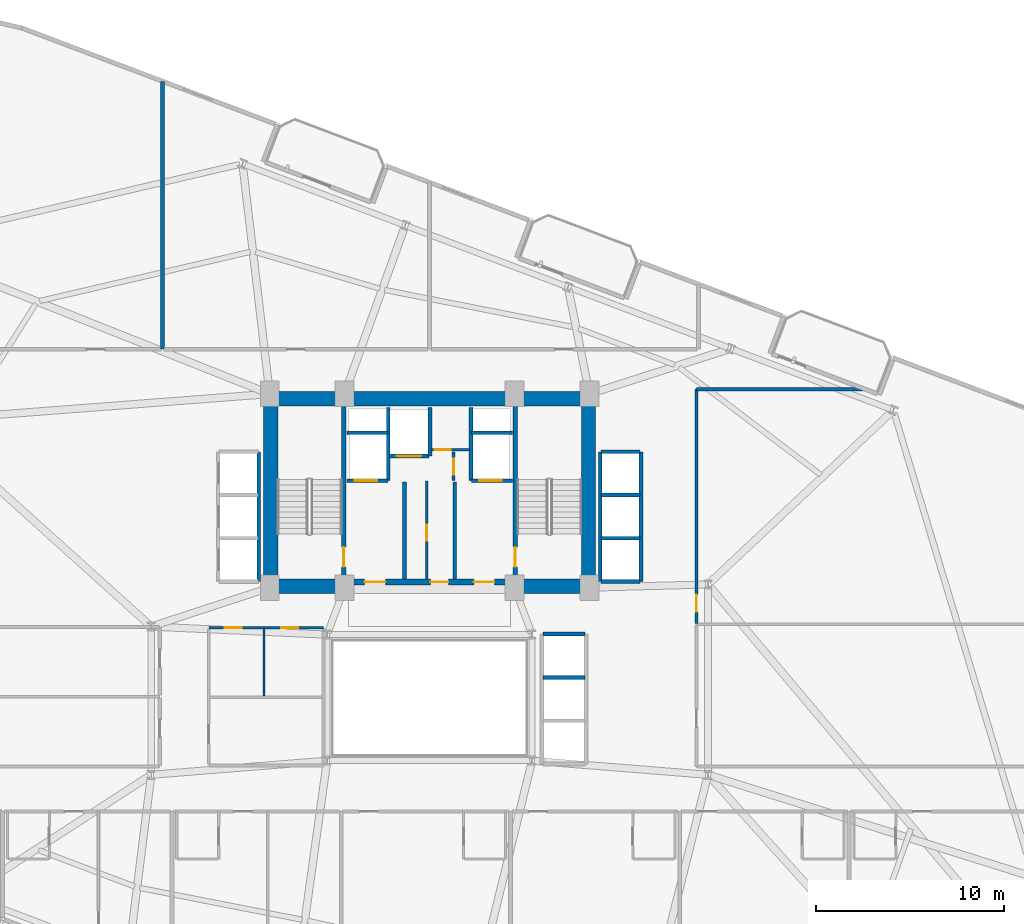
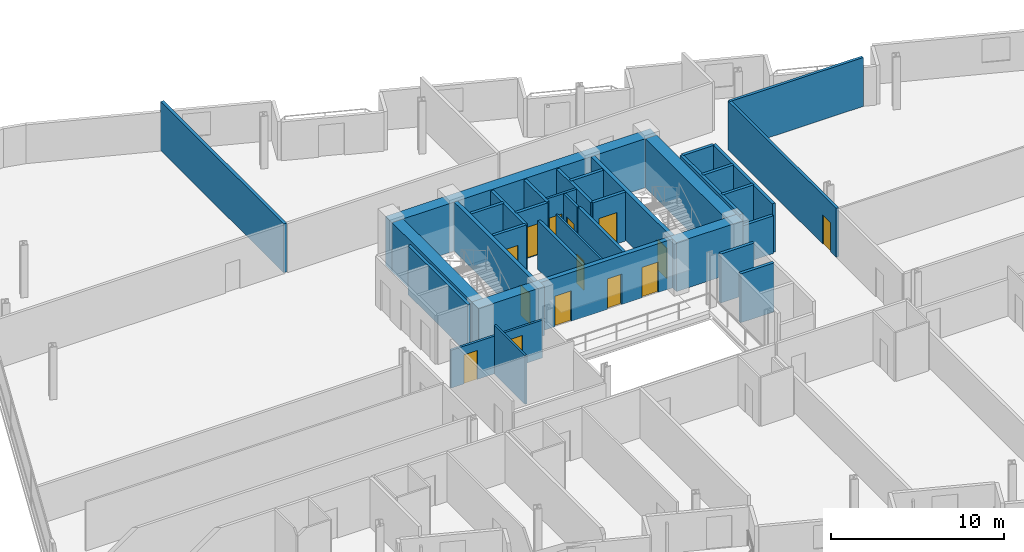
# One storey, part 19 of 25: 35 walls, 14 doors, 14 openings.
"""IFC4 building model written with IfcOpenShell, lengths in metres."""

from ifc_helpers import new_model, si_unit, direction, frame, frame_2d, origin, place, context, subcontext, project, spatial, rectangle, extrude, material, layer, layer_set, type_object, element, fill, save


model = new_model("IFC4")

# Units and contexts
model_context = context("Model", 3, precision=1e-05, world=origin(), true_north=direction((0.0, 1.0)))
body_context = subcontext(model_context, "Body", "Model", "MODEL_VIEW")
ifc_project = project(units=[si_unit("LENGTHUNIT", "METRE"), si_unit("AREAUNIT", "SQUARE_METRE"), si_unit("VOLUMEUNIT", "CUBIC_METRE"), si_unit("PLANEANGLEUNIT", "RADIAN"), si_unit("MASSUNIT", "GRAM", prefix="KILO")], contexts=[model_context])

# Site, building, storey
site_placement = place(None, origin())
site = spatial("IfcSite", under=ifc_project, at=site_placement, CompositionType="ELEMENT")
building_placement = place(site_placement, origin())
building = spatial("IfcBuilding", under=site, at=building_placement, Name="Varnelok Gate Tower", CompositionType="ELEMENT")
storey_placement = place(building_placement, frame((0.0, 0.0, 83.60009765625)))
storey = spatial("IfcBuildingStorey", under=building, at=storey_placement, Name="L20", CompositionType="ELEMENT", Elevation=83.60009765625)

# Wall, opening, door
ifc_material_1 = material(Name="Gypsum Plasterboard Acoustic Partition", Category="gypsum")
ifc_layer_1 = layer(ifc_material_1, 0.179931640625)
ifc_layer_set_1 = layer_set([ifc_layer_1], Name="Gypsum Plasterboard Acoustic Partition")
wall_type_1 = type_object("IfcWallType", Name="PW-CORR-180", PredefinedType="PARTITIONING", material=ifc_layer_set_1)
wall_1_placement = place(storey_placement, frame((53.389892578125, 26.840087890625, 0.0), z_axis=(0.0, 0.0, 1.0), x_axis=(0.0, 1.0, 0.0)))
wall_1 = element("IfcWall", 1, at=wall_1_placement, inside=storey, type_object=wall_type_1, Name="Interior Partition", PredefinedType="PARTITIONING", context=body_context, shape_type="SweptSolid", body=[
    extrude(rectangle(XDim=12.4599609375, YDim=0.179931640625, at=frame_2d((6.22998046875, 0.0))), origin(), (0.0, 0.0, 1.0), 3.449951171875),
])
opening_1_placement = place(wall_1_placement, frame((0.6181640625, 0.0, 0.0)))
opening_1 = element("IfcOpeningElement", 2, at=opening_1_placement, cuts=wall_1, Name="Opening D-I3", PredefinedType="OPENING", context=body_context, shape_type="SweptSolid", body=[
    extrude(rectangle(XDim=0.919921875, YDim=2.050048828125, at=frame_2d((0.4599609375, 1.02490234375))), frame((0.0, 0.099853515625, 0.0), z_axis=(0.0, -1.0, 0.0), x_axis=(1.0, 0.0, 0.0)), (0.0, 0.0, 1.0), 0.199951171875),
])
ifc_material_2 = material(Name="Engineered Hardwood Timber", Category="wood")
door_type_1 = type_object("IfcDoorType", Name="DR-INT-920", OperationType="NOTDEFINED", PredefinedType="DOOR", material=ifc_material_2)
door_1_placement = place(opening_1_placement, origin())
door_1 = element("IfcDoor", 3, at=door_1_placement, inside=storey, type_object=door_type_1, Name="L20 East Playroom Door", OperationType="SINGLE_SWING_LEFT", OverallHeight=2.050048828125, OverallWidth=0.919921875, PredefinedType="DOOR", context=body_context, shape_type="SweptSolid", body=[
    extrude(rectangle(XDim=0.919921875, YDim=2.050048828125, at=frame_2d((0.4599609375, 1.02490234375))), frame((0.0, 0.02490234375, 0.0), z_axis=(0.0, -1.0, 0.0), x_axis=(1.0, 0.0, 0.0)), (0.0, 0.0, 1.0), 0.050048828125),
])
fill(opening_1, door_1)

# Wall
wall_2_placement = place(storey_placement, frame((53.389892578125, 39.300048828125, 0.0), z_axis=(0.0, 0.0, 1.0), x_axis=(1.0, 0.0, 0.0)))
element("IfcWall", 4, at=wall_2_placement, inside=storey, type_object=wall_type_1, Name="Interior Partition", PredefinedType="PARTITIONING", context=body_context, shape_type="SweptSolid", body=[
    extrude(rectangle(XDim=8.87646484375, YDim=0.179931640625, at=frame_2d((4.438232421875, 0.0))), origin(), (0.0, 0.0, 1.0), 3.449951171875),
])

# Wall, opening, door
ifc_layer_2 = layer(ifc_material_1, 0.125)
ifc_layer_set_2 = layer_set([ifc_layer_2], Name="Gypsum Plasterboard Acoustic Partition")
wall_type_2 = type_object("IfcWallType", Name="PW-PART-125", PredefinedType="PARTITIONING", material=ifc_layer_set_2)
wall_3_placement = place(storey_placement, frame((39.050048828125, 29.199951171875, 0.0), z_axis=(0.0, 0.0, 1.0), x_axis=(0.0, 1.0, 0.0)))
wall_3 = element("IfcWall", 5, at=wall_3_placement, inside=storey, type_object=wall_type_2, Name="Interior Partition", PredefinedType="PARTITIONING", context=body_context, shape_type="SweptSolid", body=[
    extrude(rectangle(XDim=5.219970703125, YDim=0.125, at=frame_2d((2.60986328125, 0.0))), origin(), (0.0, 0.0, 1.0), 3.449951171875),
])
opening_2_placement = place(wall_3_placement, frame((2.050048828125, 0.0, 0.0)))
opening_2 = element("IfcOpeningElement", 6, at=opening_2_placement, cuts=wall_3, Name="Opening D-RS", PredefinedType="OPENING", context=body_context, shape_type="SweptSolid", body=[
    extrude(rectangle(XDim=0.85009765625, YDim=2.050048828125, at=frame_2d((0.425048828125, 1.02490234375))), frame((0.0, 0.072509765625, 0.0), z_axis=(0.0, -1.0, 0.0), x_axis=(1.0, 0.0, 0.0)), (0.0, 0.0, 1.0), 0.14501953125),
])
ifc_material_3 = material(Name="Galvanized Steel Grade S350GD", Category="steel")
door_type_2 = type_object("IfcDoorType", Name="DR-RISER-850", OperationType="NOTDEFINED", PredefinedType="DOOR", material=ifc_material_3)
door_2_placement = place(opening_2_placement, origin())
door_2 = element("IfcDoor", 7, at=door_2_placement, inside=storey, type_object=door_type_2, Name="L20 Housekeeping Linen Door", OperationType="SINGLE_SWING_LEFT", OverallHeight=2.050048828125, OverallWidth=0.85009765625, PredefinedType="DOOR", context=body_context, shape_type="SweptSolid", body=[
    extrude(rectangle(XDim=0.85009765625, YDim=2.050048828125, at=frame_2d((0.425048828125, 1.02490234375))), frame((0.0, 0.02490234375, 0.0), z_axis=(0.0, -1.0, 0.0), x_axis=(1.0, 0.0, 0.0)), (0.0, 0.0, 1.0), 0.050048828125),
])
fill(opening_2, door_2)

# Wall
wall_4_placement = place(storey_placement, frame((30.39990234375, 23.0, 0.0), z_axis=(0.0, 0.0, 1.0), x_axis=(0.0, 1.0, 0.0)))
element("IfcWall", 8, at=wall_4_placement, inside=storey, type_object=wall_type_2, Name="Interior Partition", PredefinedType="PARTITIONING", context=body_context, shape_type="SweptSolid", body=[
    extrude(rectangle(XDim=3.5400390625, YDim=0.125, at=frame_2d((1.77001953125, 0.0))), origin(), (0.0, 0.0, 1.0), 3.449951171875),
])

# Wall, opening, door
ifc_layer_3 = layer(ifc_material_1, 0.14990234375)
ifc_layer_set_3 = layer_set([ifc_layer_3], Name="Gypsum Plasterboard Acoustic Partition")
wall_type_3 = type_object("IfcWallType", Name="PW-PART-150", PredefinedType="PARTITIONING", material=ifc_layer_set_3)
wall_5_placement = place(storey_placement, frame((39.300048828125, 36.080078125, 0.0), z_axis=(0.0, 0.0, 1.0), x_axis=(1.0, 0.0, 0.0)))
wall_5 = element("IfcWall", 9, at=wall_5_placement, inside=storey, type_object=wall_type_3, Name="L20 Electrical Closet South Wall", PredefinedType="PARTITIONING", context=body_context, shape_type="SweptSolid", body=[
    extrude(rectangle(XDim=2.02001953125, YDim=0.14990234375, at=frame_2d((1.010009765625, 0.0))), origin(), (0.0, 0.0, 1.0), 3.449951171875),
])
opening_3_placement = place(wall_5_placement, frame((0.179931640625, 0.0, 0.0)))
opening_3 = element("IfcOpeningElement", 10, at=opening_3_placement, cuts=wall_5, Name="Opening D-RS", PredefinedType="OPENING", context=body_context, shape_type="SweptSolid", body=[
    extrude(rectangle(XDim=0.85009765625, YDim=2.050048828125, at=frame_2d((0.425048828125, 1.02490234375))), frame((0.0, 0.0849609375, 0.0), z_axis=(0.0, -1.0, 0.0), x_axis=(1.0, 0.0, 0.0)), (0.0, 0.0, 1.0), 0.169921875),
])
door_3_placement = place(opening_3_placement, origin())
door_3 = element("IfcDoor", 11, at=door_3_placement, inside=storey, type_object=door_type_2, Name="L20 Electrical Closet Door", OperationType="SINGLE_SWING_RIGHT", OverallHeight=2.050048828125, OverallWidth=0.85009765625, PredefinedType="DOOR", context=body_context, shape_type="SweptSolid", body=[
    extrude(rectangle(XDim=0.85009765625, YDim=2.050048828125, at=frame_2d((0.425048828125, 1.02490234375))), frame((0.0, 0.02490234375, 0.0), z_axis=(0.0, -1.0, 0.0), x_axis=(1.0, 0.0, 0.0)), (0.0, 0.0, 1.0), 0.050048828125),
])
fill(opening_3, door_3)

wall_6_placement = place(storey_placement, frame((40.47998046875, 34.43994140625, 0.0), z_axis=(0.0, 0.0, 1.0), x_axis=(0.0, 1.0, 0.0)))
wall_6 = element("IfcWall", 12, at=wall_6_placement, inside=storey, type_object=wall_type_3, Name="L20 Telecoms Closet West Wall", PredefinedType="PARTITIONING", context=body_context, shape_type="SweptSolid", body=[
    extrude(rectangle(XDim=1.52001953125, YDim=0.14990234375, at=frame_2d((0.760009765625, 0.0))), origin(), (0.0, 0.0, 1.0), 3.449951171875),
])
opening_4_placement = place(wall_6_placement, frame((0.320068359375, 0.0, 0.0)))
opening_4 = element("IfcOpeningElement", 13, at=opening_4_placement, cuts=wall_6, Name="Opening D-RS", PredefinedType="OPENING", context=body_context, shape_type="SweptSolid", body=[
    extrude(rectangle(XDim=0.85009765625, YDim=2.050048828125, at=frame_2d((0.425048828125, 1.02490234375))), frame((0.0, 0.0849609375, 0.0), z_axis=(0.0, -1.0, 0.0), x_axis=(1.0, 0.0, 0.0)), (0.0, 0.0, 1.0), 0.169921875),
])
door_4_placement = place(opening_4_placement, origin())
door_4 = element("IfcDoor", 14, at=door_4_placement, inside=storey, type_object=door_type_2, Name="L20 Telecoms Closet Door", OperationType="SINGLE_SWING_LEFT", OverallHeight=2.050048828125, OverallWidth=0.85009765625, PredefinedType="DOOR", context=body_context, shape_type="SweptSolid", body=[
    extrude(rectangle(XDim=0.85009765625, YDim=2.050048828125, at=frame_2d((0.425048828125, 1.02490234375))), frame((0.0, 0.02490234375, 0.0), z_axis=(0.0, -1.0, 0.0), x_axis=(1.0, 0.0, 0.0)), (0.0, 0.0, 1.0), 0.050048828125),
])
fill(opening_4, door_4)

# Wall, openings, doors
wall_7_placement = place(storey_placement, frame((27.4599609375, 26.6201171875, 0.0), z_axis=(0.0, 0.0, 1.0), x_axis=(1.0, 0.0, 0.0)))
wall_7 = element("IfcWall", 15, at=wall_7_placement, inside=storey, type_object=wall_type_3, Name="Interior Partition", PredefinedType="PARTITIONING", context=body_context, shape_type="SweptSolid", body=[
    extrude(rectangle(XDim=6.10009765625, YDim=0.14990234375, at=frame_2d((3.050048828125, 0.0))), origin(), (0.0, 0.0, 1.0), 2.661865234375),
])
opening_5_placement = place(wall_7_placement, frame((0.85009765625, 0.0, 0.0)))
opening_5 = element("IfcOpeningElement", 16, at=opening_5_placement, cuts=wall_7, Name="Opening D-WC", PredefinedType="OPENING", context=body_context, shape_type="SweptSolid", body=[
    extrude(rectangle(XDim=0.89990234375, YDim=2.050048828125, at=frame_2d((0.449951171875, 1.02490234375))), frame((0.0, 0.0849609375, 0.0), z_axis=(0.0, -1.0, 0.0), x_axis=(1.0, 0.0, 0.0)), (0.0, 0.0, 1.0), 0.169921875),
])
opening_6_placement = place(wall_7_placement, frame((3.85009765625, 0.0, 0.0)))
opening_6 = element("IfcOpeningElement", 17, at=opening_6_placement, cuts=wall_7, Name="Opening D-I3", PredefinedType="OPENING", context=body_context, shape_type="SweptSolid", body=[
    extrude(rectangle(XDim=0.919921875, YDim=2.050048828125, at=frame_2d((0.4599609375, 1.02490234375))), frame((0.0, 0.0849609375, 0.0), z_axis=(0.0, -1.0, 0.0), x_axis=(1.0, 0.0, 0.0)), (0.0, 0.0, 1.0), 0.169921875),
])
door_type_3 = type_object("IfcDoorType", Name="DR-BATH-900", OperationType="NOTDEFINED", PredefinedType="DOOR", material=ifc_material_2)
door_5_placement = place(opening_5_placement, origin())
door_5 = element("IfcDoor", 18, at=door_5_placement, inside=storey, type_object=door_type_3, Name="L20 Accessible Floor WC Door", OperationType="SINGLE_SWING_RIGHT", OverallHeight=2.050048828125, OverallWidth=0.89990234375, PredefinedType="DOOR", context=body_context, shape_type="SweptSolid", body=[
    extrude(rectangle(XDim=0.89990234375, YDim=2.050048828125, at=frame_2d((0.449951171875, 1.02490234375))), frame((0.0, 0.02490234375, 0.0), z_axis=(0.0, -1.0, 0.0), x_axis=(1.0, 0.0, 0.0)), (0.0, 0.0, 1.0), 0.050048828125),
])
fill(opening_5, door_5)
door_6_placement = place(opening_6_placement, origin())
door_6 = element("IfcDoor", 19, at=door_6_placement, inside=storey, type_object=door_type_1, Name="L20 Cleaner Supply Door", OperationType="SINGLE_SWING_LEFT", OverallHeight=2.050048828125, OverallWidth=0.919921875, PredefinedType="DOOR", context=body_context, shape_type="SweptSolid", body=[
    extrude(rectangle(XDim=0.919921875, YDim=2.050048828125, at=frame_2d((0.4599609375, 1.02490234375))), frame((0.0, 0.02490234375, 0.0), z_axis=(0.0, -1.0, 0.0), x_axis=(1.0, 0.0, 0.0)), (0.0, 0.0, 1.0), 0.050048828125),
])
fill(opening_6, door_6)

# Walls
ifc_layer_4 = layer(ifc_material_1, 0.205078125)
ifc_layer_set_4 = layer_set([ifc_layer_4], Name="Gypsum Plasterboard Acoustic Partition")
wall_type_4 = type_object("IfcWallType", Name="PW-PARTY-200", PredefinedType="PARTITIONING", material=ifc_layer_set_4)
wall_8_placement = place(storey_placement, frame((25.0, 41.429931640625, 0.0), z_axis=(0.0, 0.0, 1.0), x_axis=(0.0, 1.0, 0.0)))
element("IfcWall", 20, at=wall_8_placement, inside=storey, type_object=wall_type_4, Name="L20 North Party Wall 1", PredefinedType="PARTITIONING", context=body_context, shape_type="SweptSolid", body=[
    extrude(rectangle(XDim=14.22412109375, YDim=0.205078125, at=frame_2d((7.112060546875, 0.0))), origin(), (0.0, 0.0, 1.0), 3.449951171875),
])
ifc_material_4 = material(Name="Concrete C35/45", Category="concrete")
ifc_layer_5 = layer(ifc_material_4, 0.199951171875)
ifc_layer_set_5 = layer_set([ifc_layer_5], Name="Concrete C35/45")
wall_type_5 = type_object("IfcWallType", Name="PW-SHAFT-200", PredefinedType="PARTITIONING", material=ifc_layer_set_5)
for number, where, z_axis, x_axis, name in (
    (21, (37.860107421875, 29.199951171875, 0.0), (0.0, 0.0, 1.0), (0.0, 1.0, 0.0), "L20 West FF Lobby Rated Wall"),
    (22, (40.5400390625, 29.199951171875, 0.0), (0.0, 0.0, 1.0), (0.0, 1.0, 0.0), "L20 East FF Lobby Rated Wall"),
):
    element("IfcWall", number, at=place(storey_placement, frame(where, z_axis=z_axis, x_axis=x_axis)), inside=storey, type_object=wall_type_5, Name=name, PredefinedType="PARTITIONING", context=body_context, shape_type="SweptSolid", body=[
        extrude(rectangle(XDim=5.179931640625, YDim=0.199951171875, at=frame_2d((2.58984375, 0.0))), origin(), (0.0, 0.0, 1.0), 3.449951171875),
    ])

# Wall, opening, door
wall_9_placement = place(storey_placement, frame((34.800048828125, 34.43994140625, 0.0), z_axis=(0.0, 0.0, 1.0), x_axis=(1.0, 0.0, 0.0)))
wall_9 = element("IfcWall", 23, at=wall_9_placement, inside=storey, type_object=wall_type_5, Name="L20 FF1 Shaft Front Wall", PredefinedType="PARTITIONING", context=body_context, shape_type="SweptSolid", body=[
    extrude(rectangle(XDim=2.179931640625, YDim=0.199951171875, at=frame_2d((1.08984375, 0.0))), origin(), (0.0, 0.0, 1.0), 3.449951171875),
])
opening_7_placement = place(wall_9_placement, frame((0.419921875, 0.0, 0.0)))
opening_7 = element("IfcOpeningElement", 24, at=opening_7_placement, cuts=wall_9, Name="Opening LD-FF1", PredefinedType="OPENING", context=body_context, shape_type="SweptSolid", body=[
    extrude(rectangle(XDim=1.199951171875, YDim=2.199951171875, at=frame_2d((0.60009765625, 1.10009765625))), frame((0.0, 0.10986328125, 0.0), z_axis=(0.0, -1.0, 0.0), x_axis=(1.0, 0.0, 0.0)), (0.0, 0.0, 1.0), 0.219970703125),
])
door_type_4 = type_object("IfcDoorType", Name="DR-LIFT-FF1200", OperationType="SLIDING_TO_LEFT", PredefinedType="DOOR", material=ifc_material_3)
door_7_placement = place(opening_7_placement, origin())
door_7 = element("IfcDoor", 25, at=door_7_placement, inside=storey, type_object=door_type_4, Name="L20 Firefighting Lift Landing Door LD-FF1", OperationType="SLIDING_TO_LEFT", OverallHeight=2.199951171875, OverallWidth=1.199951171875, PredefinedType="DOOR", context=body_context, shape_type="SweptSolid", body=[
    extrude(rectangle(XDim=1.199951171875, YDim=2.199951171875, at=frame_2d((0.60009765625, 1.10009765625))), frame((0.0, 0.02490234375, 0.0), z_axis=(0.0, -1.0, 0.0), x_axis=(1.0, 0.0, 0.0)), (0.0, 0.0, 1.0), 0.050048828125),
])
fill(opening_7, door_7)

# Walls
wall_10_placement = place(storey_placement, frame((34.800048828125, 36.97998046875, 0.0), z_axis=(0.0, 0.0, 1.0), x_axis=(1.0, 0.0, 0.0)))
element("IfcWall", 26, at=wall_10_placement, inside=storey, type_object=wall_type_5, Name="L20 FF1 Shaft North Wall", PredefinedType="PARTITIONING", context=body_context, shape_type="SweptSolid", body=[
    extrude(rectangle(XDim=2.179931640625, YDim=0.199951171875, at=frame_2d((1.08984375, 0.0))), origin(), (0.0, 0.0, 1.0), 3.449951171875),
])
wall_11_placement = place(storey_placement, frame((37.0, 34.43994140625, 0.0), z_axis=(0.0, 0.0, 1.0), x_axis=(0.0, 1.0, 0.0)))
element("IfcWall", 27, at=wall_11_placement, inside=storey, type_object=wall_type_5, Name="L20 FF1 Shaft Side Wall", PredefinedType="PARTITIONING", context=body_context, shape_type="SweptSolid", body=[
    extrude(rectangle(XDim=3.900146484375, YDim=0.199951171875, at=frame_2d((1.9501953125, 0.0))), origin(), (0.0, 0.0, 1.0), 3.449951171875),
])

# Wall, opening, door
wall_12_placement = place(storey_placement, frame((41.419921875, 34.43994140625, 0.0), z_axis=(0.0, 0.0, 1.0), x_axis=(1.0, 0.0, 0.0)))
wall_12 = element("IfcWall", 28, at=wall_12_placement, inside=storey, type_object=wall_type_5, Name="L20 FF2 Shaft Front Wall", PredefinedType="PARTITIONING", context=body_context, shape_type="SweptSolid", body=[
    extrude(rectangle(XDim=2.18017578125, YDim=0.199951171875, at=frame_2d((1.090087890625, 0.0))), origin(), (0.0, 0.0, 1.0), 3.449951171875),
])
opening_8_placement = place(wall_12_placement, frame((0.419921875, 0.0, 0.0)))
opening_8 = element("IfcOpeningElement", 29, at=opening_8_placement, cuts=wall_12, Name="Opening LD-FF2", PredefinedType="OPENING", context=body_context, shape_type="SweptSolid", body=[
    extrude(rectangle(XDim=1.199951171875, YDim=2.199951171875, at=frame_2d((0.60009765625, 1.10009765625))), frame((0.0, 0.10986328125, 0.0), z_axis=(0.0, -1.0, 0.0), x_axis=(1.0, 0.0, 0.0)), (0.0, 0.0, 1.0), 0.219970703125),
])
door_8_placement = place(opening_8_placement, origin())
door_8 = element("IfcDoor", 30, at=door_8_placement, inside=storey, type_object=door_type_4, Name="L20 Firefighting Lift Landing Door LD-FF2", OperationType="SLIDING_TO_LEFT", OverallHeight=2.199951171875, OverallWidth=1.199951171875, PredefinedType="DOOR", context=body_context, shape_type="SweptSolid", body=[
    extrude(rectangle(XDim=1.199951171875, YDim=2.199951171875, at=frame_2d((0.60009765625, 1.10009765625))), frame((0.0, 0.02490234375, 0.0), z_axis=(0.0, -1.0, 0.0), x_axis=(1.0, 0.0, 0.0)), (0.0, 0.0, 1.0), 0.050048828125),
])
fill(opening_8, door_8)

# Walls
wall_13_placement = place(storey_placement, frame((41.419921875, 36.97998046875, 0.0), z_axis=(0.0, 0.0, 1.0), x_axis=(1.0, 0.0, 0.0)))
element("IfcWall", 31, at=wall_13_placement, inside=storey, type_object=wall_type_5, Name="L20 FF2 Shaft North Wall", PredefinedType="PARTITIONING", context=body_context, shape_type="SweptSolid", body=[
    extrude(rectangle(XDim=2.18017578125, YDim=0.199951171875, at=frame_2d((1.090087890625, 0.0))), origin(), (0.0, 0.0, 1.0), 3.449951171875),
])
wall_14_placement = place(storey_placement, frame((41.39990234375, 34.43994140625, 0.0), z_axis=(0.0, 0.0, 1.0), x_axis=(0.0, 1.0, 0.0)))
element("IfcWall", 32, at=wall_14_placement, inside=storey, type_object=wall_type_5, Name="L20 FF2 Shaft Side Wall", PredefinedType="PARTITIONING", context=body_context, shape_type="SweptSolid", body=[
    extrude(rectangle(XDim=3.900146484375, YDim=0.199951171875, at=frame_2d((1.9501953125, 0.0))), origin(), (0.0, 0.0, 1.0), 3.449951171875),
])

# Wall, opening, door
wall_15_placement = place(storey_placement, frame((37.06005859375, 35.75, 0.0), z_axis=(0.0, 0.0, 1.0), x_axis=(1.0, 0.0, 0.0)))
wall_15 = element("IfcWall", 33, at=wall_15_placement, inside=storey, type_object=wall_type_5, Name="L20 SV1 Shaft Front Wall", PredefinedType="PARTITIONING", context=body_context, shape_type="SweptSolid", body=[
    extrude(rectangle(XDim=2.119873046875, YDim=0.199951171875, at=frame_2d((1.06005859375, 0.0))), origin(), (0.0, 0.0, 1.0), 3.449951171875),
])
opening_9_placement = place(wall_15_placement, frame((0.39990234375, 0.0, 0.0)))
opening_9 = element("IfcOpeningElement", 34, at=opening_9_placement, cuts=wall_15, Name="Opening LD-SV1", PredefinedType="OPENING", context=body_context, shape_type="SweptSolid", body=[
    extrude(rectangle(XDim=1.300048828125, YDim=2.199951171875, at=frame_2d((0.64990234375, 1.10009765625))), frame((0.0, 0.10986328125, 0.0), z_axis=(0.0, -1.0, 0.0), x_axis=(1.0, 0.0, 0.0)), (0.0, 0.0, 1.0), 0.219970703125),
])
door_type_5 = type_object("IfcDoorType", Name="DR-LIFT-SV1300", OperationType="SLIDING_TO_LEFT", PredefinedType="DOOR", material=ifc_material_3)
door_9_placement = place(opening_9_placement, origin())
door_9 = element("IfcDoor", 35, at=door_9_placement, inside=storey, type_object=door_type_5, Name="L20 Service Lift Landing Door LD-SV1", OperationType="SLIDING_TO_LEFT", OverallHeight=2.199951171875, OverallWidth=1.300048828125, PredefinedType="DOOR", context=body_context, shape_type="SweptSolid", body=[
    extrude(rectangle(XDim=1.300048828125, YDim=2.199951171875, at=frame_2d((0.64990234375, 1.10009765625))), frame((0.0, 0.02490234375, 0.0), z_axis=(0.0, -1.0, 0.0), x_axis=(1.0, 0.0, 0.0)), (0.0, 0.0, 1.0), 0.050048828125),
])
fill(opening_9, door_9)

# Walls
wall_16_placement = place(storey_placement, frame((39.219970703125, 35.75, 0.0), z_axis=(0.0, 0.0, 1.0), x_axis=(0.0, 1.0, 0.0)))
element("IfcWall", 36, at=wall_16_placement, inside=storey, type_object=wall_type_5, Name="L20 SV1 Shaft East Wall", PredefinedType="PARTITIONING", context=body_context, shape_type="SweptSolid", body=[
    extrude(rectangle(XDim=2.590087890625, YDim=0.199951171875, at=frame_2d((1.294921875, 0.0))), origin(), (0.0, 0.0, 1.0), 3.449951171875),
])
wall_17_placement = place(storey_placement, frame((30.1201171875, 29.080078125, 0.0), z_axis=(0.0, 0.0, 1.0), x_axis=(0.0, 1.0, 0.0)))
element("IfcWall", 37, at=wall_17_placement, inside=storey, type_object=wall_type_5, Name="L20 PL Bank Back Wall", PredefinedType="PARTITIONING", context=body_context, shape_type="SweptSolid", body=[
    extrude(rectangle(XDim=6.889892578125, YDim=0.199951171875, at=frame_2d((3.44482421875, 0.0))), origin(), (0.0, 0.0, 1.0), 3.449951171875),
])
for number, where, z_axis, x_axis, name in (
    (38, (48.320068359375, 31.375, 0.0), (0.0, 0.0, 1.0), (1.0, 0.0, 0.0), "L20 PM1 Divider"),
    (39, (48.320068359375, 33.675048828125, 0.0), (0.0, 0.0, 1.0), (1.0, 0.0, 0.0), "L20 PM2 Divider"),
):
    element("IfcWall", number, at=place(storey_placement, frame(where, z_axis=z_axis, x_axis=x_axis)), inside=storey, type_object=wall_type_5, Name=name, PredefinedType="PARTITIONING", context=body_context, shape_type="SweptSolid", body=[
        extrude(rectangle(XDim=2.059814453125, YDim=0.199951171875, at=frame_2d((1.02978515625, 0.0))), origin(), (0.0, 0.0, 1.0), 3.449951171875),
    ])
wall_18_placement = place(storey_placement, frame((48.320068359375, 29.080078125, 0.0), z_axis=(0.0, 0.0, 1.0), x_axis=(1.0, 0.0, 0.0)))
element("IfcWall", 40, at=wall_18_placement, inside=storey, type_object=wall_type_5, Name="L20 PM Bank South Wall", PredefinedType="PARTITIONING", context=body_context, shape_type="SweptSolid", body=[
    extrude(rectangle(XDim=2.059814453125, YDim=0.199951171875, at=frame_2d((1.02978515625, 0.0))), origin(), (0.0, 0.0, 1.0), 2.661865234375),
])
wall_19_placement = place(storey_placement, frame((48.320068359375, 35.969970703125, 0.0), z_axis=(0.0, 0.0, 1.0), x_axis=(1.0, 0.0, 0.0)))
element("IfcWall", 41, at=wall_19_placement, inside=storey, type_object=wall_type_5, Name="L20 PM Bank North Wall", PredefinedType="PARTITIONING", context=body_context, shape_type="SweptSolid", body=[
    extrude(rectangle(XDim=2.059814453125, YDim=0.199951171875, at=frame_2d((1.02978515625, 0.0))), origin(), (0.0, 0.0, 1.0), 3.449951171875),
])
for number, where, z_axis, x_axis, name in (
    (42, (48.280029296875, 29.080078125, 0.0), (0.0, 0.0, 1.0), (0.0, 1.0, 0.0), "L20 PM Bank Back Wall"),
    (43, (50.43994140625, 29.080078125, 0.0), (0.0, 0.0, 1.0), (0.0, 1.0, 0.0), "L20 PM Bank Front Wall"),
):
    element("IfcWall", number, at=place(storey_placement, frame(where, z_axis=z_axis, x_axis=x_axis)), inside=storey, type_object=wall_type_5, Name=name, PredefinedType="PARTITIONING", context=body_context, shape_type="SweptSolid", body=[
        extrude(rectangle(XDim=6.889892578125, YDim=0.199951171875, at=frame_2d((3.44482421875, 0.0))), origin(), (0.0, 0.0, 1.0), 3.449951171875),
    ])
for number, where, z_axis, x_axis, name in (
    (44, (45.239990234375, 23.97509765625, 0.0), (0.0, 0.0, 1.0), (1.0, 0.0, 0.0), "L20 PH2 Divider"),
    (45, (45.239990234375, 26.280029296875, 0.0), (0.0, 0.0, 1.0), (1.0, 0.0, 0.0), "L20 PH Bank North Wall"),
):
    element("IfcWall", number, at=place(storey_placement, frame(where, z_axis=z_axis, x_axis=x_axis)), inside=storey, type_object=wall_type_5, Name=name, PredefinedType="PARTITIONING", context=body_context, shape_type="SweptSolid", body=[
        extrude(rectangle(XDim=2.219970703125, YDim=0.199951171875, at=frame_2d((1.10986328125, 0.0))), origin(), (0.0, 0.0, 1.0), 3.449951171875),
    ])
ifc_material_5 = material(Name="Concrete C70/85", Category="concrete")
ifc_layer_6 = layer(ifc_material_5, 0.75)
ifc_layer_set_6 = layer_set([ifc_layer_6], Name="Concrete C70/85")
wall_type_6 = type_object("IfcWallType", Name="SW-CORE-750", PredefinedType="SHEAR", material=ifc_layer_set_6)
wall_20_placement = place(storey_placement, frame((30.3798828125, 38.794921875, 0.0), z_axis=(0.0, 0.0, 1.0), x_axis=(1.0, 0.0, 0.0)))
element("IfcWall", 46, at=wall_20_placement, inside=storey, type_object=wall_type_6, Name="L20 Rear Core North Shear Wall", PredefinedType="SHEAR", context=body_context, shape_type="SweptSolid", body=[
    extrude(rectangle(XDim=17.64013671875, YDim=0.75, at=frame_2d((8.820068359375, 0.0))), origin(), (0.0, 0.0, 1.0), 3.449951171875),
])
for number, where, z_axis, x_axis, name in (
    (47, (30.7548828125, 29.199951171875, 0.0), (0.0, 0.0, 1.0), (0.0, 1.0, 0.0), "L20 Rear Core West Shear Wall"),
    (48, (47.64501953125, 29.199951171875, 0.0), (0.0, 0.0, 1.0), (0.0, 1.0, 0.0), "L20 Rear Core East Shear Wall"),
):
    element("IfcWall", number, at=place(storey_placement, frame(where, z_axis=z_axis, x_axis=x_axis)), inside=storey, type_object=wall_type_6, Name=name, PredefinedType="SHEAR", context=body_context, shape_type="SweptSolid", body=[
        extrude(rectangle(XDim=9.219970703125, YDim=0.75, at=frame_2d((4.60986328125, 0.0))), origin(), (0.0, 0.0, 1.0), 3.449951171875),
    ])
wall_21_placement = place(storey_placement, frame((30.3798828125, 28.824951171875, 0.0), z_axis=(0.0, 0.0, 1.0), x_axis=(1.0, 0.0, 0.0)))
element("IfcWall", 49, at=wall_21_placement, inside=storey, type_object=wall_type_6, Name="L20 Rear Core South-West Shear Wall", PredefinedType="SHEAR", context=body_context, shape_type="SweptSolid", body=[
    extrude(rectangle(XDim=4.420166015625, YDim=0.75, at=frame_2d((2.2099609375, 0.0))), origin(), (0.0, 0.0, 1.0), 3.449951171875),
])
wall_22_placement = place(storey_placement, frame((43.60009765625, 28.824951171875, 0.0), z_axis=(0.0, 0.0, 1.0), x_axis=(1.0, 0.0, 0.0)))
element("IfcWall", 50, at=wall_22_placement, inside=storey, type_object=wall_type_6, Name="L20 Rear Core South-East Shear Wall", PredefinedType="SHEAR", context=body_context, shape_type="SweptSolid", body=[
    extrude(rectangle(XDim=4.419921875, YDim=0.75, at=frame_2d((2.2099609375, 0.0))), origin(), (0.0, 0.0, 1.0), 3.449951171875),
])

# Wall, opening, door
ifc_material_6 = material(Name="Concrete C60/75", Category="concrete")
ifc_layer_7 = layer(ifc_material_6, 0.25)
ifc_layer_set_7 = layer_set([ifc_layer_7], Name="Concrete C60/75")
wall_type_7 = type_object("IfcWallType", Name="SW-SHAFT-250", PredefinedType="SHEAR", material=ifc_layer_set_7)
wall_23_placement = place(storey_placement, frame((34.639892578125, 29.199951171875, 0.0), z_axis=(0.0, 0.0, 1.0), x_axis=(0.0, 1.0, 0.0)))
wall_23 = element("IfcWall", 51, at=wall_23_placement, inside=storey, type_object=wall_type_7, Name="L20 Stair ST-1 East Shear Wall", PredefinedType="SHEAR", context=body_context, shape_type="SweptSolid", body=[
    extrude(rectangle(XDim=9.219970703125, YDim=0.25, at=frame_2d((4.60986328125, 0.0))), origin(), (0.0, 0.0, 1.0), 3.449951171875),
])
opening_10_placement = place(wall_23_placement, frame((0.64990234375, 0.0, 0.0)))
opening_10 = element("IfcOpeningElement", 52, at=opening_10_placement, cuts=wall_23, Name="Opening D-ST", PredefinedType="OPENING", context=body_context, shape_type="SweptSolid", body=[
    extrude(rectangle(XDim=1.050048828125, YDim=2.14990234375, at=frame_2d((0.52490234375, 1.074951171875))), frame((0.0, 0.135009765625, 0.0), z_axis=(0.0, -1.0, 0.0), x_axis=(1.0, 0.0, 0.0)), (0.0, 0.0, 1.0), 0.27001953125),
])
door_type_6 = type_object("IfcDoorType", Name="DR-STAIR-1050", OperationType="NOTDEFINED", PredefinedType="DOOR", material=ifc_material_3)
door_10_placement = place(opening_10_placement, origin())
door_10 = element("IfcDoor", 53, at=door_10_placement, inside=storey, type_object=door_type_6, Name="L20 Exit Stair ST-1 Fire Door", OperationType="SINGLE_SWING_LEFT", OverallHeight=2.14990234375, OverallWidth=1.050048828125, PredefinedType="DOOR", context=body_context, shape_type="SweptSolid", body=[
    extrude(rectangle(XDim=1.050048828125, YDim=2.14990234375, at=frame_2d((0.52490234375, 1.074951171875))), frame((0.0, 0.02490234375, 0.0), z_axis=(0.0, -1.0, 0.0), x_axis=(1.0, 0.0, 0.0)), (0.0, 0.0, 1.0), 0.050048828125),
])
fill(opening_10, door_10)

wall_24_placement = place(storey_placement, frame((43.760009765625, 29.199951171875, 0.0), z_axis=(0.0, 0.0, 1.0), x_axis=(0.0, 1.0, 0.0)))
wall_24 = element("IfcWall", 54, at=wall_24_placement, inside=storey, type_object=wall_type_7, Name="L20 Stair ST-2 West Shear Wall", PredefinedType="SHEAR", context=body_context, shape_type="SweptSolid", body=[
    extrude(rectangle(XDim=9.219970703125, YDim=0.25, at=frame_2d((4.60986328125, 0.0))), origin(), (0.0, 0.0, 1.0), 3.449951171875),
])
opening_11_placement = place(wall_24_placement, frame((0.64990234375, 0.0, 0.0)))
opening_11 = element("IfcOpeningElement", 55, at=opening_11_placement, cuts=wall_24, Name="Opening D-ST", PredefinedType="OPENING", context=body_context, shape_type="SweptSolid", body=[
    extrude(rectangle(XDim=1.050048828125, YDim=2.14990234375, at=frame_2d((0.52490234375, 1.074951171875))), frame((0.0, 0.135009765625, 0.0), z_axis=(0.0, -1.0, 0.0), x_axis=(1.0, 0.0, 0.0)), (0.0, 0.0, 1.0), 0.27001953125),
])
door_11_placement = place(opening_11_placement, origin())
door_11 = element("IfcDoor", 56, at=door_11_placement, inside=storey, type_object=door_type_6, Name="L20 Exit Stair ST-2 Fire Door", OperationType="SINGLE_SWING_RIGHT", OverallHeight=2.14990234375, OverallWidth=1.050048828125, PredefinedType="DOOR", context=body_context, shape_type="SweptSolid", body=[
    extrude(rectangle(XDim=1.050048828125, YDim=2.14990234375, at=frame_2d((0.52490234375, 1.074951171875))), frame((0.0, 0.02490234375, 0.0), z_axis=(0.0, -1.0, 0.0), x_axis=(1.0, 0.0, 0.0)), (0.0, 0.0, 1.0), 0.050048828125),
])
fill(opening_11, door_11)

# Wall, openings, doors
ifc_layer_8 = layer(ifc_material_6, 0.300048828125)
ifc_layer_set_8 = layer_set([ifc_layer_8], Name="Concrete C60/75")
wall_type_8 = type_object("IfcWallType", Name="SW-SHAFT-300", PredefinedType="SHEAR", material=ifc_layer_set_8)
wall_25_placement = place(storey_placement, frame((34.800048828125, 29.050048828125, 0.0), z_axis=(0.0, 0.0, 1.0), x_axis=(1.0, 0.0, 0.0)))
wall_25 = element("IfcWall", 57, at=wall_25_placement, inside=storey, type_object=wall_type_8, Name="L20 Rear Core Central Lobby Shear Wall", PredefinedType="SHEAR", context=body_context, shape_type="SweptSolid", body=[
    extrude(rectangle(XDim=8.800048828125, YDim=0.300048828125, at=frame_2d((4.39990234375, 0.0))), origin(), (0.0, 0.0, 1.0), 3.449951171875),
])
opening_12_placement = place(wall_25_placement, frame((0.949951171875, 0.0, 0.0)))
opening_12 = element("IfcOpeningElement", 58, at=opening_12_placement, cuts=wall_25, Name="Opening D-FF", PredefinedType="OPENING", context=body_context, shape_type="SweptSolid", body=[
    extrude(rectangle(XDim=1.10009765625, YDim=2.14990234375, at=frame_2d((0.550048828125, 1.074951171875))), frame((0.0, 0.159912109375, 0.0), z_axis=(0.0, -1.0, 0.0), x_axis=(1.0, 0.0, 0.0)), (0.0, 0.0, 1.0), 0.320068359375),
])
opening_13_placement = place(wall_25_placement, frame((6.75, 0.0, 0.0)))
opening_13 = element("IfcOpeningElement", 59, at=opening_13_placement, cuts=wall_25, Name="Opening D-FF", PredefinedType="OPENING", context=body_context, shape_type="SweptSolid", body=[
    extrude(rectangle(XDim=1.10009765625, YDim=2.14990234375, at=frame_2d((0.550048828125, 1.074951171875))), frame((0.0, 0.159912109375, 0.0), z_axis=(0.0, -1.0, 0.0), x_axis=(1.0, 0.0, 0.0)), (0.0, 0.0, 1.0), 0.320068359375),
])
opening_14_placement = place(wall_25_placement, frame((4.449951171875, 0.0, 0.0)))
opening_14 = element("IfcOpeningElement", 60, at=opening_14_placement, cuts=wall_25, Name="Opening D-CR", PredefinedType="OPENING", context=body_context, shape_type="SweptSolid", body=[
    extrude(rectangle(XDim=0.949951171875, YDim=2.14990234375, at=frame_2d((0.47509765625, 1.074951171875))), frame((0.0, 0.159912109375, 0.0), z_axis=(0.0, -1.0, 0.0), x_axis=(1.0, 0.0, 0.0)), (0.0, 0.0, 1.0), 0.320068359375),
])
door_type_7 = type_object("IfcDoorType", Name="DR-CORR-950", OperationType="NOTDEFINED", PredefinedType="DOOR", material=ifc_material_3)
door_12_placement = place(opening_14_placement, origin())
door_12 = element("IfcDoor", 61, at=door_12_placement, inside=storey, type_object=door_type_7, Name="L20 Core Service Passage Door", OperationType="SINGLE_SWING_LEFT", OverallHeight=2.14990234375, OverallWidth=0.949951171875, PredefinedType="DOOR", context=body_context, shape_type="SweptSolid", body=[
    extrude(rectangle(XDim=0.949951171875, YDim=2.14990234375, at=frame_2d((0.47509765625, 1.074951171875))), frame((0.0, 0.02490234375, 0.0), z_axis=(0.0, -1.0, 0.0), x_axis=(1.0, 0.0, 0.0)), (0.0, 0.0, 1.0), 0.050048828125),
])
fill(opening_14, door_12)
door_type_8 = type_object("IfcDoorType", Name="DR-FFLOB-1100", OperationType="NOTDEFINED", PredefinedType="DOOR", material=ifc_material_3)
door_13_placement = place(opening_12_placement, origin())
door_13 = element("IfcDoor", 62, at=door_13_placement, inside=storey, type_object=door_type_8, Name="L20 West Firefighting Lobby Fire Door", OperationType="SINGLE_SWING_RIGHT", OverallHeight=2.14990234375, OverallWidth=1.10009765625, PredefinedType="DOOR", context=body_context, shape_type="SweptSolid", body=[
    extrude(rectangle(XDim=1.10009765625, YDim=2.14990234375, at=frame_2d((0.550048828125, 1.074951171875))), frame((0.0, 0.02490234375, 0.0), z_axis=(0.0, -1.0, 0.0), x_axis=(1.0, 0.0, 0.0)), (0.0, 0.0, 1.0), 0.050048828125),
])
fill(opening_12, door_13)
door_14_placement = place(opening_13_placement, origin())
door_14 = element("IfcDoor", 63, at=door_14_placement, inside=storey, type_object=door_type_8, Name="L20 East Firefighting Lobby Fire Door", OperationType="SINGLE_SWING_LEFT", OverallHeight=2.14990234375, OverallWidth=1.10009765625, PredefinedType="DOOR", context=body_context, shape_type="SweptSolid", body=[
    extrude(rectangle(XDim=1.10009765625, YDim=2.14990234375, at=frame_2d((0.550048828125, 1.074951171875))), frame((0.0, 0.02490234375, 0.0), z_axis=(0.0, -1.0, 0.0), x_axis=(1.0, 0.0, 0.0)), (0.0, 0.0, 1.0), 0.050048828125),
])
fill(opening_13, door_14)

save(model, "model.ifc")
